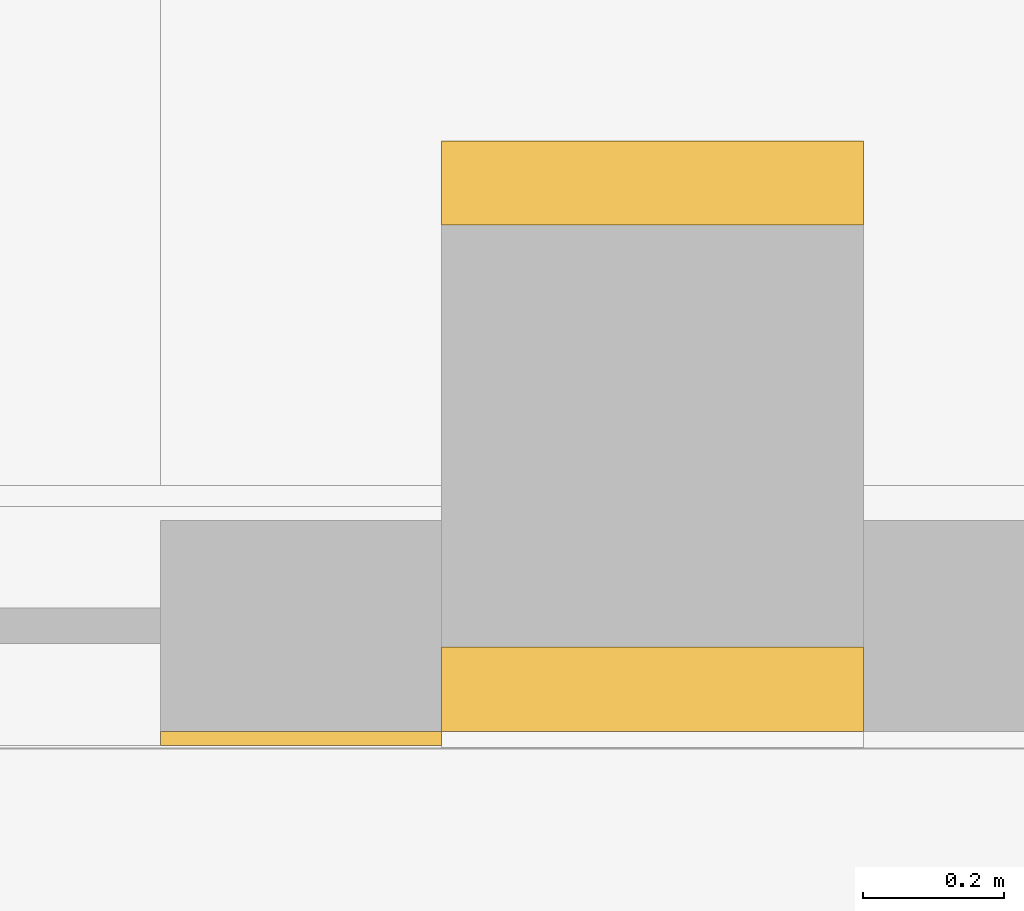
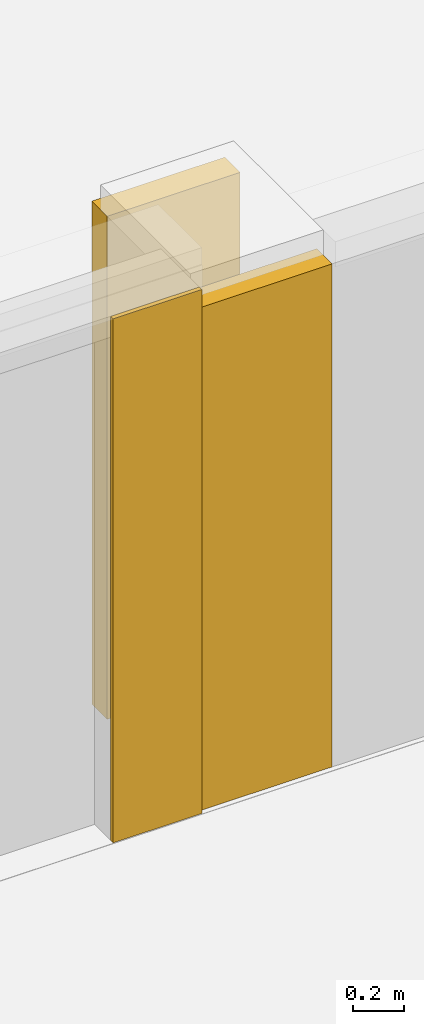
# One storey, part 130 of 148: 3 coverings.
"""IFC4 building model written with IfcOpenShell, lengths in metres."""

import ifcopenshell
import ifcopenshell.guid

model = None  # the IFC model being written
_history = None  # IfcOwnerHistory: only IFC2X3 demands one
_inside = {}  # id of a spatial element -> (the spatial element, [elements in it])
_under = {}  # id of a project, library or spatial element -> (it, [spatial elements below it])
_declared = {}  # id of a project -> (the project, [libraries it declares])
_typed = {}  # id of a type object -> (the type object, [elements of that type])
_made_of = {}  # id of a material, layer set ... -> (it, [elements and type objects made of it])


def new_model(schema):
    """Start an empty IFC model of exactly this schema.

    Asked for "IFC4X3", IfcOpenShell would pick the latest addendum, in which some entities
    have other attributes; the version numbers below select the first issue.
    IFC2X3 requires an IfcOwnerHistory on every rooted entity: one is made here for all.
    """
    global model, _history
    if schema == "IFC4X3":
        model = ifcopenshell.file(schema_version=(4, 3, 0, 0))
    else:
        model = ifcopenshell.file(schema=schema)
    _inside.clear()
    _under.clear()
    _declared.clear()
    _typed.clear()
    _made_of.clear()
    _history = None
    if model.schema == "IFC2X3":
        org = make("IfcOrganization", Name="unknown")
        user = make(
            "IfcPersonAndOrganization",
            ThePerson=make("IfcPerson", FamilyName="unknown"),
            TheOrganization=org,
        )
        app = make(
            "IfcApplication",
            ApplicationDeveloper=org,
            Version="unknown",
            ApplicationFullName="unknown",
            ApplicationIdentifier="unknown",
        )
        _history = make(
            "IfcOwnerHistory",
            OwningUser=user,
            OwningApplication=app,
            ChangeAction="ADDED",
            CreationDate=0,
        )
    return model


def make(cls, **values):
    """One entity of the class cls with the attributes given. An attribute that is None is left unset."""
    return model.create_entity(
        cls, **{name: value for name, value in values.items() if value is not None}
    )


def rooted(cls, **values):
    """An entity with a GlobalId (a new one), such as an element, a storey or a relation."""
    return make(cls, GlobalId=ifcopenshell.guid.new(), OwnerHistory=_history, **values)


def si_unit(unit_type, name, prefix=None):
    """IfcSIUnit, for example si_unit("LENGTHUNIT", "METRE", prefix="MILLI")."""
    return make("IfcSIUnit", UnitType=unit_type, Prefix=prefix, Name=name)


def assignment(units):
    """IfcUnitAssignment: the units of a project."""
    return None if units is None else make("IfcUnitAssignment", Units=units)


def point(xyz):
    """IfcCartesianPoint."""
    return None if xyz is None else make("IfcCartesianPoint", Coordinates=xyz)


def direction(xyz):
    """IfcDirection."""
    return None if xyz is None else make("IfcDirection", DirectionRatios=xyz)


def frame(location, z_axis=None, x_axis=None):
    """IfcAxis2Placement3D, a coordinate frame: its origin and axes. An axis left out is left unset."""
    return make(
        "IfcAxis2Placement3D",
        Location=point(location),
        Axis=direction(z_axis),
        RefDirection=direction(x_axis),
    )


def frame_2d(location, x_axis=None):
    """IfcAxis2Placement2D, a coordinate frame in the plane: its origin and x axis."""
    return make(
        "IfcAxis2Placement2D", Location=point(location), RefDirection=direction(x_axis)
    )


def origin():
    """The frame at (0, 0, 0) with its axes left unset."""
    return frame((0.0, 0.0, 0.0))


def origin_2d():
    """The frame at (0, 0) in the plane with its x axis left unset."""
    return frame_2d((0.0, 0.0))


def place(relative_to, where):
    """IfcLocalPlacement: puts the frame where relative to a parent placement (None: the world)."""
    return make(
        "IfcLocalPlacement", PlacementRelTo=relative_to, RelativePlacement=where
    )


def context(
    kind, dimensions, precision=None, world=None, true_north=None, identifier=None
):
    """IfcGeometricRepresentationContext, for example the 3D "Model" context."""
    return make(
        "IfcGeometricRepresentationContext",
        ContextIdentifier=identifier,
        ContextType=kind,
        CoordinateSpaceDimension=dimensions,
        Precision=precision,
        WorldCoordinateSystem=world,
        TrueNorth=true_north,
    )


def subcontext(parent, identifier, kind, view, scale=None):
    """IfcGeometricRepresentationSubContext, for example "Body" below "Model"."""
    return make(
        "IfcGeometricRepresentationSubContext",
        ContextIdentifier=identifier,
        ContextType=kind,
        ParentContext=parent,
        TargetScale=scale,
        TargetView=view,
    )


def project(units=None, contexts=None):
    """IfcProject with its units and contexts."""
    return rooted(
        "IfcProject",
        Name="project",
        RepresentationContexts=contexts,
        UnitsInContext=assignment(units),
    )


def spatial(cls, under=None, at=None, **own):
    """A site, building, storey or space (cls), placed at a placement, below another one or the project."""
    s = rooted(cls, ObjectPlacement=at, **own)
    if under is not None:
        _under.setdefault(under.id(), (under, []))[1].append(s)
    return s


def polyline(points):
    """IfcPolyline through the points."""
    return make("IfcPolyline", Points=[point(p) for p in points])


def profile(cls, at=None, kind="AREA", **sizes):
    """A parametric profile (cls). Its sizes go by their IFC names, for example OverallWidth=200.0."""
    return make(cls, ProfileType=kind, Position=at, **sizes)


def rectangle(**sizes):
    """IfcRectangleProfileDef."""
    return profile("IfcRectangleProfileDef", **sizes)


def outline(outer, holes=None, kind="AREA"):
    """IfcArbitraryClosedProfileDef: a profile drawn as a closed curve; with holes, ...WithVoids."""
    if holes is None:
        return make("IfcArbitraryClosedProfileDef", ProfileType=kind, OuterCurve=outer)
    return make(
        "IfcArbitraryProfileDefWithVoids",
        ProfileType=kind,
        OuterCurve=outer,
        InnerCurves=holes,
    )


def extrude(swept, where, along, depth):
    """IfcExtrudedAreaSolid: the profile swept, set in the frame where, extruded along a direction by depth."""
    return make(
        "IfcExtrudedAreaSolid",
        SweptArea=swept,
        Position=where,
        ExtrudedDirection=direction(along),
        Depth=depth,
    )


def shape(context_of_items, identifier, shape_type, items):
    """IfcShapeRepresentation: the items that make up one representation, for example the "Body"."""
    return make(
        "IfcShapeRepresentation",
        ContextOfItems=context_of_items,
        RepresentationIdentifier=identifier,
        RepresentationType=shape_type,
        Items=items,
    )


def material(Name=None, Category=None):
    """IfcMaterial."""
    return make("IfcMaterial", Name=Name, Category=Category)


def layer(
    of_material, thickness, ventilated=None, Name=None, Category=None, Priority=None
):
    """IfcMaterialLayer: one layer of a wall or slab, of a material (None: an air gap)."""
    return make(
        "IfcMaterialLayer",
        Material=of_material,
        LayerThickness=thickness,
        IsVentilated=ventilated,
        Name=Name,
        Category=Category,
        Priority=Priority,
    )


def layer_set(layers, Name=None):
    """IfcMaterialLayerSet."""
    return make("IfcMaterialLayerSet", MaterialLayers=layers, LayerSetName=Name)


def made_of(thing, what):
    """Note that an element or type object is made of a material, layer set ...; save() writes the relation."""
    if what is not None:
        _made_of.setdefault(what.id(), (what, []))[1].append(thing)
    return thing


def type_object(cls, material=None, **own):
    """A type object (cls), such as IfcWallType, which elements share."""
    return made_of(rooted(cls, **own), material)


def element(
    cls,
    number,
    at=None,
    inside=None,
    cuts=None,
    type_object=None,
    material=None,
    context=None,
    identifier="Body",
    shape_type=None,
    held_by="IfcProductDefinitionShape",
    body=None,
    shapes=None,
    **own,
):
    """One element of the class cls, such as IfcWall. Its Tag is "e" and its number.

    at: its placement. inside: the storey or other place that contains it. cuts: it is an
    opening in that element (IfcRelVoidsElement). A single representation is given by context,
    identifier, shape_type and body (its items); several are given by shapes. held_by: the class
    of the entity that holds the representations. save() writes the other relations.
    """
    e = rooted(cls, Tag="e%d" % number, ObjectPlacement=at, **own)
    if body is not None:
        shapes = [shape(context, identifier, shape_type, body)]
    if shapes is not None:
        e.Representation = make(held_by, Representations=shapes)
    if inside is not None:
        _inside.setdefault(inside.id(), (inside, []))[1].append(e)
    if cuts is not None:
        rooted(
            "IfcRelVoidsElement", RelatingBuildingElement=cuts, RelatedOpeningElement=e
        )
    if type_object is not None:
        _typed.setdefault(type_object.id(), (type_object, []))[1].append(e)
    return made_of(e, material)


def aggregate(whole, parts):
    """IfcRelAggregates: a whole, such as a stair, and the parts it consists of."""
    return rooted("IfcRelAggregates", RelatingObject=whole, RelatedObjects=parts)


def save(model, path):
    """Write the relations noted so far, then the file.

    IfcRelAggregates (storeys below a building ...), IfcRelContainedInSpatialStructure (elements
    in a storey), IfcRelDefinesByType, IfcRelAssociatesMaterial and IfcRelDeclares: one each for
    every whole, place, type object, material and project.
    """
    for whole, parts in _under.values():
        aggregate(whole, parts)
    for where, things in _inside.values():
        rooted(
            "IfcRelContainedInSpatialStructure",
            RelatedElements=things,
            RelatingStructure=where,
        )
    for kind, things in _typed.values():
        rooted("IfcRelDefinesByType", RelatedObjects=things, RelatingType=kind)
    for what, things in _made_of.values():
        rooted("IfcRelAssociatesMaterial", RelatedObjects=things, RelatingMaterial=what)
    for by, libraries in _declared.values():
        rooted("IfcRelDeclares", RelatingContext=by, RelatedDefinitions=libraries)
    model.write(path)


model = new_model("IFC4")

# Units and contexts
model_context = context("Model", 3, precision=1e-05, world=origin(), true_north=direction((0.0, 1.0)))
body_context = subcontext(model_context, "Body", "Model", "MODEL_VIEW")
ifc_project = project(units=[si_unit("LENGTHUNIT", "METRE"), si_unit("AREAUNIT", "SQUARE_METRE"), si_unit("VOLUMEUNIT", "CUBIC_METRE"), si_unit("PLANEANGLEUNIT", "RADIAN"), si_unit("MASSUNIT", "GRAM", prefix="KILO")], contexts=[model_context])

# Site, building, storey
site_placement = place(None, origin())
site = spatial("IfcSite", under=ifc_project, at=site_placement, CompositionType="ELEMENT")
building_placement = place(site_placement, origin())
building = spatial("IfcBuilding", under=site, at=building_placement, Name="Kupolbacken Congress Centre", CompositionType="ELEMENT")
storey_placement = place(building_placement, origin())
storey = spatial("IfcBuildingStorey", under=building, at=storey_placement, Name="L00", CompositionType="ELEMENT", Elevation=0.0)

# Coverings
ifc_material_1 = material(Name="Limestone cladding", Category="masonry")
ifc_layer_1 = layer(ifc_material_1, 0.1201171875)
ifc_layer_set_1 = layer_set([ifc_layer_1], Name="Limestone cladding")
covering_type_1 = type_object("IfcCoveringType", Name="CV1 limestone cladding band 120", PredefinedType="CLADDING", material=ifc_layer_set_1)
covering_1_placement = place(storey_placement, origin())
element("IfcCovering", 1, at=covering_1_placement, inside=storey, type_object=covering_type_1, Name="Gate pier limestone facing", PredefinedType="CLADDING", context=body_context, shape_type="SweptSolid", body=[
    extrude(outline(polyline([(155.199951171875, 0.02490234375), (155.199951171875, 0.14501953125), (155.800048828125, 0.14501953125), (155.800048828125, 0.02490234375), (155.199951171875, 0.02490234375)])), origin(), (0.0, 0.0, 1.0), 2.39990234375),
])
covering_2_placement = place(storey_placement, origin())
element("IfcCovering", 2, at=covering_2_placement, inside=storey, type_object=covering_type_1, Name="Gate pier limestone facing", PredefinedType="CLADDING", context=body_context, shape_type="SweptSolid", body=[
    extrude(outline(polyline([(155.199951171875, 0.7451171875), (155.199951171875, 0.864990234375), (155.800048828125, 0.864990234375), (155.800048828125, 0.7451171875), (155.199951171875, 0.7451171875)])), origin(), (0.0, 0.0, 1.0), 2.39990234375),
])
ifc_material_2 = material(Name="Limestone cladding", Category="masonry")
ifc_layer_2 = layer(ifc_material_2, 0.35009765625)
ifc_layer_set_2 = layer_set([ifc_layer_2], Name="Limestone cladding")
covering_type_2 = type_object("IfcCoveringType", Name="CV3 limestone pilaster strip 350", PredefinedType="CLADDING", material=ifc_layer_set_2)
covering_3_placement = place(storey_placement, frame((155.0, 0.014892578125, 0.0), z_axis=(0.0, 0.0, 1.0), x_axis=(1.0, 0.0, 0.0)))
element("IfcCovering", 3, at=covering_3_placement, inside=storey, type_object=covering_type_2, Name="E/portal/YG2/stripE", PredefinedType="CLADDING", context=body_context, shape_type="SweptSolid", body=[
    extrude(rectangle(XDim=0.39990234375, YDim=0.02001953125, at=origin_2d()), origin(), (0.0, 0.0, 1.0), 2.5),
])

save(model, "model.ifc")
